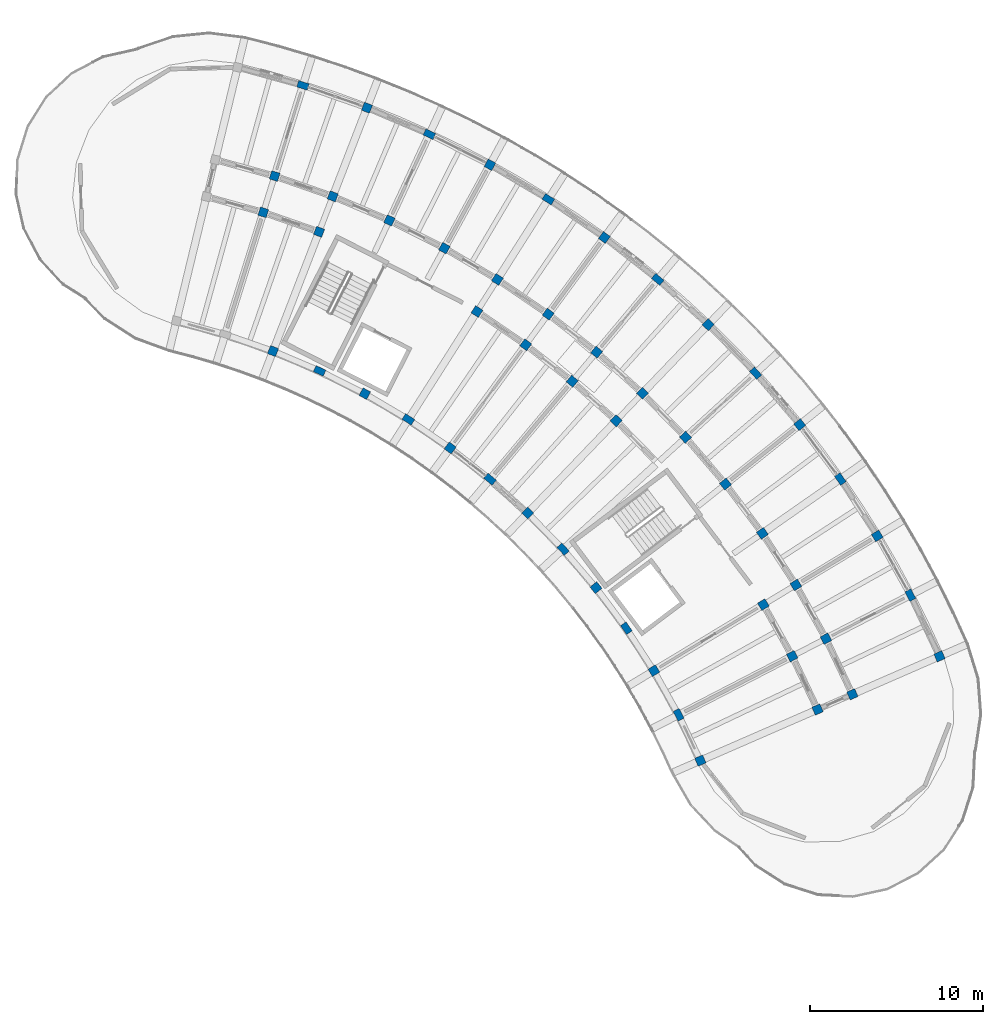
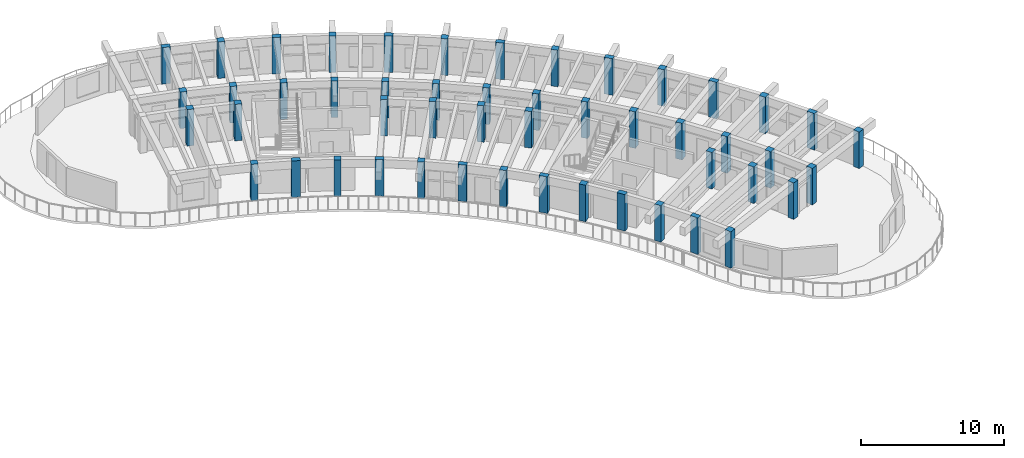
# One storey, part 2 of 62: 50 columns.
"""IFC4 building model written with IfcOpenShell, lengths in metres."""

from ifc_helpers import new_model, si_unit, direction, frame, origin, origin_2d, place, context, subcontext, project, spatial, rectangle, extrude, material, material_profile, profile_set, type_object, element, save


model = new_model("IFC4")

# Units and contexts
model_context = context("Model", 3, precision=1e-05, world=origin(), true_north=direction((0.0, 1.0)))
body_context = subcontext(model_context, "Body", "Model", "MODEL_VIEW")
ifc_project = project(units=[si_unit("LENGTHUNIT", "METRE"), si_unit("AREAUNIT", "SQUARE_METRE"), si_unit("VOLUMEUNIT", "CUBIC_METRE"), si_unit("PLANEANGLEUNIT", "RADIAN"), si_unit("MASSUNIT", "GRAM", prefix="KILO")], contexts=[model_context])

# Site, building, storey
site_placement = place(None, origin())
site = spatial("IfcSite", under=ifc_project, at=site_placement, CompositionType="ELEMENT")
building_placement = place(site_placement, origin())
building = spatial("IfcBuilding", under=site, at=building_placement, Name="Tanwirah Colonnade Gardens", CompositionType="ELEMENT")
storey_placement = place(building_placement, frame((0.0, 0.0, 32.360107421875)))
storey = spatial("IfcBuildingStorey", under=building, at=storey_placement, Name="L09", CompositionType="ELEMENT", Elevation=32.360107421875)

# Columns
ifc_material = material(Name="Precast concrete C40/50", Category="concrete")
ifc_material_profile_1 = material_profile(ifc_material, rectangle(XDim=0.5, YDim=0.5, at=origin_2d()), Name="PC-COL 500x500")
ifc_profile_set_1 = profile_set([ifc_material_profile_1], Name="Precast concrete C40/50")
column_type_1 = type_object("IfcColumnType", Name="C-PC500", PredefinedType="COLUMN", material=ifc_profile_set_1)
for number, where, z_axis, x_axis, name in (
    (1, (161.74609375, 77.9638671875, 0.0), (0.0, 0.0, 1.0), (0.916673002238, 0.39963809499, 0.0), "Block B L09 Column 2-R0"),
    (2, (168.529541015625, 80.921142578125, 0.0), (0.0, 0.0, 1.0), (0.916673002238, 0.39963809499, 0.0), "Block B L09 Column 2-R1"),
    (3, (170.546142578125, 81.800537109375, 0.0), (0.0, 0.0, 1.0), (0.916673002238, 0.39963809499, 0.0), "Block B L09 Column 2-R2"),
    (4, (175.587890625, 83.99853515625, 0.0), (0.0, 0.0, 1.0), (0.916673002238, 0.39963809499, 0.0), "Block B L09 Column 2-R3"),
    (5, (167.06103515625, 84.0078125, 0.0), (0.0, 0.0, 1.0), (0.88835024545, 0.459166463723, 0.0), "Block B L09 Column 3-R1"),
    (6, (169.015380859375, 85.01806640625, 0.0), (0.0, 0.0, 1.0), (0.88835024545, 0.459166463723, 0.0), "Block B L09 Column 3-R2"),
    (7, (159.056640625, 83.167236328125, 0.0), (0.0, 0.0, 1.0), (0.856166891514, 0.516699384434, 0.0), "Block B L09 Column 4-R0"),
    (8, (165.392333984375, 86.990966796875, 0.0), (0.0, 0.0, 1.0), (0.856166891514, 0.516699384434, 0.0), "Block B L09 Column 4-R1"),
    (9, (167.27587890625, 88.127685546875, 0.0), (0.0, 0.0, 1.0), (0.856166891514, 0.516699384434, 0.0), "Block B L09 Column 4-R2"),
    (10, (171.984619140625, 90.969482421875, 0.0), (0.0, 0.0, 1.0), (0.856166891514, 0.516699384434, 0.0), "Block B L09 Column 4-R3"),
    (11, (165.335205078125, 91.115966796875, 0.0), (0.0, 0.0, 1.0), (0.820262803018, 0.571986830255, 0.0), "Block B L09 Column 5-R2"),
    (12, (155.706298828125, 87.971923828125, 0.0), (0.0, 0.0, 1.0), (0.780794012137, 0.624788532714, 0.0), "Block B L09 Column 6-R0"),
    (13, (163.201904296875, 93.9697265625, 0.0), (0.0, 0.0, 1.0), (0.780794012137, 0.624788532714, 0.0), "Block B L09 Column 6-R2"),
    (14, (167.496337890625, 97.40625, 0.0), (0.0, 0.0, 1.0), (0.780794012137, 0.624788532714, 0.0), "Block B L09 Column 6-R3"),
    (15, (160.88525390625, 96.677001953125, 0.0), (0.0, 0.0, 1.0), (0.73793204255, 0.674875025896, 0.0), "Block B L09 Column 7-R2"),
    (16, (151.75341796875, 92.294189453125, 0.0), (0.0, 0.0, 1.0), (0.691863164029, 0.722028643656, 0.0), "Block B L09 Column 8-R0"),
    (17, (156.873046875, 97.63720703125, 0.0), (0.0, 0.0, 1.0), (0.691863164029, 0.722028643656, 0.0), "Block B L09 Column 8-R1"),
    (18, (158.395263671875, 99.2255859375, 0.0), (0.0, 0.0, 1.0), (0.691863164029, 0.722028643656, 0.0), "Block B L09 Column 8-R2"),
    (19, (162.200439453125, 103.19677734375, 0.0), (0.0, 0.0, 1.0), (0.691863164029, 0.722028643656, 0.0), "Block B L09 Column 8-R3"),
    (20, (154.32861328125, 99.91943359375, 0.0), (0.0, 0.0, 1.0), (0.642787582947, 0.766044465556, 0.0), "Block B L09 Column 9-R1"),
    (21, (155.74267578125, 101.604736328125, 0.0), (0.0, 0.0, 1.0), (0.642787582947, 0.766044465556, 0.0), "Block B L09 Column 9-R2"),
    (22, (147.266357421875, 96.05908203125, 0.0), (0.0, 0.0, 1.0), (0.590918572221, 0.806731207407, 0.0), "Block B L09 Column 10-R0"),
    (23, (151.63916015625, 102.029052734375, 0.0), (0.0, 0.0, 1.0), (0.590918572221, 0.806731207407, 0.0), "Block B L09 Column 10-R1"),
    (24, (152.939208984375, 103.8037109375, 0.0), (0.0, 0.0, 1.0), (0.590918572221, 0.806731207407, 0.0), "Block B L09 Column 10-R2"),
    (25, (156.189208984375, 108.24072265625, 0.0), (0.0, 0.0, 1.0), (0.590918572221, 0.806731207407, 0.0), "Block B L09 Column 10-R3"),
    (26, (148.816650390625, 103.956787109375, 0.0), (0.0, 0.0, 1.0), (0.536481544469, 0.843912052553, 0.0), "Block B L09 Column 11-R1"),
    (27, (149.996826171875, 105.8134765625, 0.0), (0.0, 0.0, 1.0), (0.536481544469, 0.843912052553, 0.0), "Block B L09 Column 11-R2"),
    (28, (142.3232421875, 99.20166015625, 0.0), (0.0, 0.0, 1.0), (0.479713072413, 0.877425420281, 0.0), "Block B L09 Column 12-R0"),
    (29, (146.928466796875, 107.624755859375, 0.0), (0.0, 0.0, 1.0), (0.479713072413, 0.877425420281, 0.0), "Block B L09 Column 12-R2"),
    (30, (149.56689453125, 112.45068359375, 0.0), (0.0, 0.0, 1.0), (0.479713072413, 0.877425420281, 0.0), "Block B L09 Column 12-R3"),
    (31, (143.74755859375, 109.230224609375, 0.0), (0.0, 0.0, 1.0), (0.420859860775, 0.907125668024, 0.0), "Block B L09 Column 13-R2"),
    (32, (137.010009765625, 101.666748046875, 0.0), (0.0, 0.0, 1.0), (0.36017767415, 0.932883724289, 0.0), "Block B L09 Column 14-R0"),
    (33, (139.67529296875, 108.570068359375, 0.0), (0.0, 0.0, 1.0), (0.36017767415, 0.932883724289, 0.0), "Block B L09 Column 14-R1"),
    (34, (140.467529296875, 110.622314453125, 0.0), (0.0, 0.0, 1.0), (0.36017767415, 0.932883724289, 0.0), "Block B L09 Column 14-R2"),
    (35, (142.448486328125, 115.753173828125, 0.0), (0.0, 0.0, 1.0), (0.36017767415, 0.932883724289, 0.0), "Block B L09 Column 14-R3"),
    (36, (136.44775390625, 109.6953125, 0.0), (0.0, 0.0, 1.0), (0.297930225503, 0.954587649581, 0.0), "Block B L09 Column 15-R1"),
    (37, (137.10302734375, 111.79541015625, 0.0), (0.0, 0.0, 1.0), (0.297930225503, 0.954587649581, 0.0), "Block B L09 Column 15-R2"),
):
    element("IfcColumn", number, at=place(storey_placement, frame(where, z_axis=z_axis, x_axis=x_axis)), inside=storey, type_object=column_type_1, Name=name, PredefinedType="COLUMN", context=body_context, shape_type="SweptSolid", body=[
        extrude(rectangle(XDim=0.5, YDim=0.5, at=origin_2d()), origin(), (0.0, 0.0, 1.0), 3.114990234375),
    ])
ifc_material_profile_2 = material_profile(ifc_material, rectangle(XDim=0.389892578125, YDim=0.6298828125, at=origin_2d()), Name="PC-PIL 390x630")
ifc_profile_set_2 = profile_set([ifc_material_profile_2], Name="Precast concrete C40/50")
column_type_2 = type_object("IfcColumnType", Name="PIL-360", PredefinedType="PILASTER", material=ifc_profile_set_2)
for number, where, z_axis, x_axis, name in (
    (38, (160.487060546875, 80.60986328125, 0.0), (0.0, 0.0, 1.0), (0.88835024545, 0.459166463723, 0.0), "Block B L09 Column 3-R0"),
    (39, (173.9013671875, 87.54345703125, 0.0), (0.0, 0.0, 1.0), (0.88835024545, 0.459166463723, 0.0), "Block B L09 Column 3-R3"),
    (40, (157.460693359375, 85.624755859375, 0.0), (0.0, 0.0, 1.0), (0.820262803018, 0.571986830255, 0.0), "Block B L09 Column 5-R0"),
    (41, (169.8466796875, 94.26171875, 0.0), (0.0, 0.0, 1.0), (0.820262803018, 0.571986830255, 0.0), "Block B L09 Column 5-R3"),
    (42, (153.801025390625, 90.1982421875, 0.0), (0.0, 0.0, 1.0), (0.73793204255, 0.674875025896, 0.0), "Block B L09 Column 7-R0"),
    (43, (164.94384765625, 100.388916015625, 0.0), (0.0, 0.0, 1.0), (0.73793204255, 0.674875025896, 0.0), "Block B L09 Column 7-R3"),
    (44, (149.572021484375, 94.250732421875, 0.0), (0.0, 0.0, 1.0), (0.642787582947, 0.766044465556, 0.0), "Block B L09 Column 9-R0"),
    (45, (159.278076171875, 105.81787109375, 0.0), (0.0, 0.0, 1.0), (0.642787582947, 0.766044465556, 0.0), "Block B L09 Column 9-R3"),
    (46, (144.8466796875, 97.7119140625, 0.0), (0.0, 0.0, 1.0), (0.536481544469, 0.843912052553, 0.0), "Block B L09 Column 11-R0"),
    (47, (152.947509765625, 110.455078125, 0.0), (0.0, 0.0, 1.0), (0.536481544469, 0.843912052553, 0.0), "Block B L09 Column 11-R3"),
    (48, (139.707275390625, 100.521728515625, 0.0), (0.0, 0.0, 1.0), (0.420859860775, 0.907125668024, 0.0), "Block B L09 Column 13-R0"),
    (49, (146.062255859375, 114.21923828125, 0.0), (0.0, 0.0, 1.0), (0.420859860775, 0.907125668024, 0.0), "Block B L09 Column 13-R3"),
    (50, (138.74169921875, 117.045654296875, 0.0), (0.0, 0.0, 1.0), (0.297930225503, 0.954587649581, 0.0), "Block B L09 Column 15-R3"),
):
    element("IfcColumn", number, at=place(storey_placement, frame(where, z_axis=z_axis, x_axis=x_axis)), inside=storey, type_object=column_type_2, Name=name, PredefinedType="PILASTER", context=body_context, shape_type="SweptSolid", body=[
        extrude(rectangle(XDim=0.389892578125, YDim=0.6298828125, at=origin_2d()), origin(), (0.0, 0.0, 1.0), 3.114990234375),
    ])

save(model, "model.ifc")
